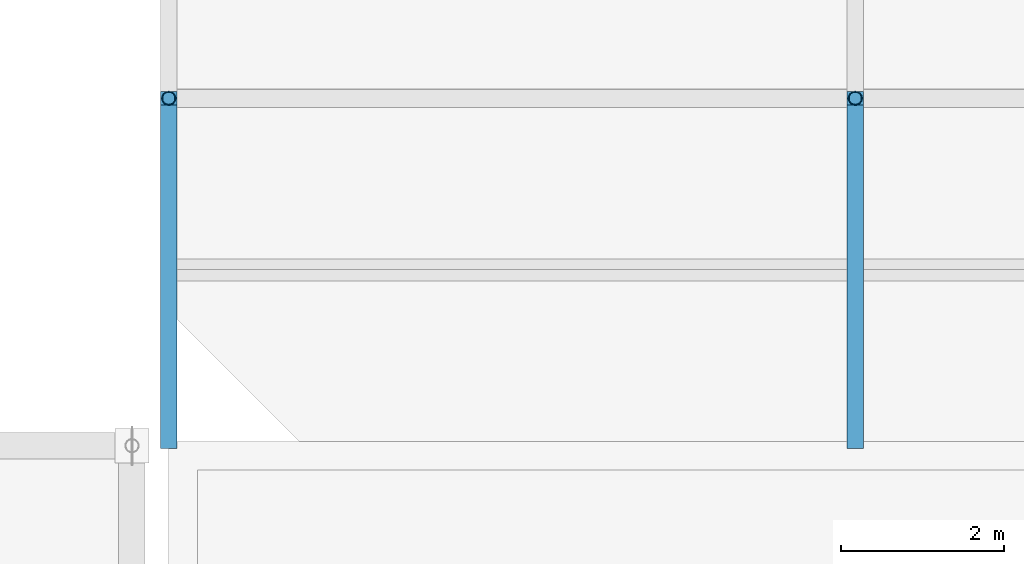
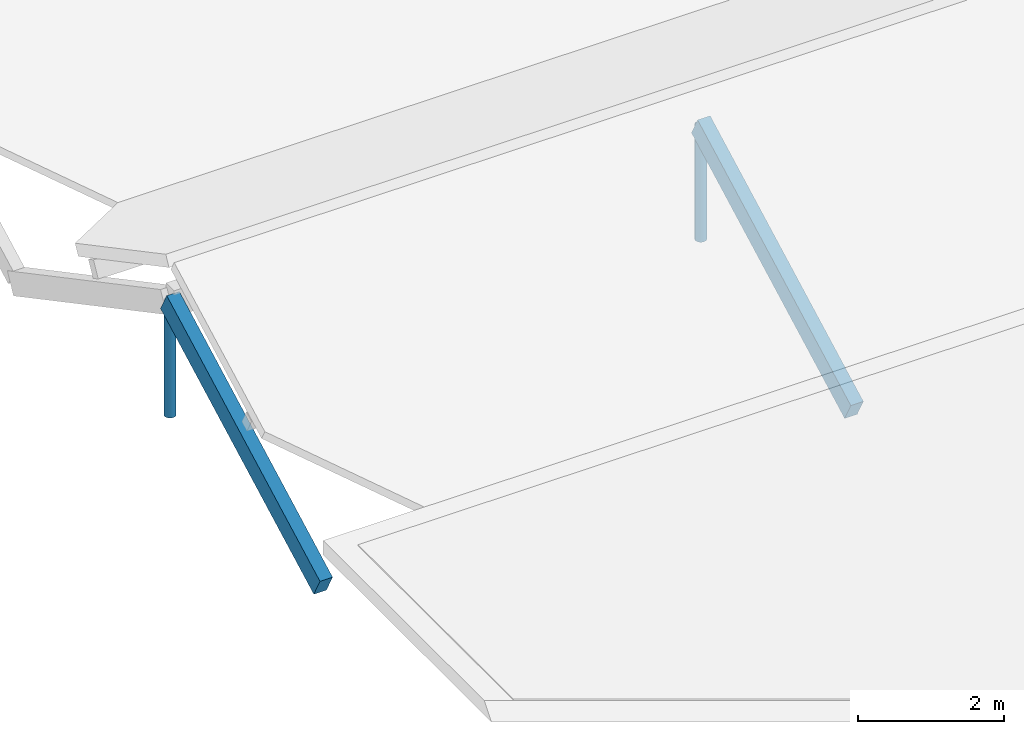
# One storey, part 38 of 82: 4 members.
"""IFC4 building model written with IfcOpenShell, lengths in metres."""

from ifc_helpers import new_model, si_unit, direction, frame, origin, origin_2d, place, context, subcontext, project, spatial, rectangle, hollow_circle, extrude, material, material_profile, profile_set, type_object, element, save


model = new_model("IFC4")

# Units and contexts
model_context = context("Model", 3, precision=1e-05, world=origin(), true_north=direction((0.0, 1.0)))
body_context = subcontext(model_context, "Body", "Model", "MODEL_VIEW")
ifc_project = project(units=[si_unit("LENGTHUNIT", "METRE"), si_unit("AREAUNIT", "SQUARE_METRE"), si_unit("VOLUMEUNIT", "CUBIC_METRE"), si_unit("PLANEANGLEUNIT", "RADIAN"), si_unit("MASSUNIT", "GRAM", prefix="KILO")], contexts=[model_context])

# Site, building, storey
site_placement = place(None, origin())
site = spatial("IfcSite", under=ifc_project, at=site_placement, CompositionType="ELEMENT")
building_placement = place(site_placement, origin())
building = spatial("IfcBuilding", under=site, at=building_placement, Name="Bramfleet General Hospital", CompositionType="ELEMENT")
storey_placement = place(building_placement, frame((0.0, 0.0, 34.199951171875)))
storey = spatial("IfcBuildingStorey", under=building, at=storey_placement, Name="Roof", CompositionType="ELEMENT", Elevation=34.199951171875)

# Members
ifc_material_1 = material(Name="Structural timber GL28h", Category="wood")
ifc_material_profile_1 = material_profile(ifc_material_1, rectangle(XDim=0.199951171875, YDim=0.360107421875, at=origin_2d()), Name="GL28h 360x200")
ifc_profile_set_1 = profile_set([ifc_material_profile_1], Name="Structural timber GL28h")
member_type_1 = type_object("IfcMemberType", Name="MEM-RF-GL360", PredefinedType="RAFTER", material=ifc_profile_set_1)
for number, where, z_axis, x_axis, name in (
    (1, (92.39990234375, 50.39990234375, -0.75634765625), (0.0, 0.882958848035, 0.469450394267), (-1.0, 0.0, 0.0), "Patient House PH-11 South Glulam Rafter 0"),
    (2, (100.800048828125, 50.39990234375, -0.75634765625), (0.0, 0.882958848035, 0.469450394267), (-1.0, 0.0, 0.0), "Patient House PH-11 South Glulam Rafter 1"),
):
    element("IfcMember", number, at=place(storey_placement, frame(where, z_axis=z_axis, x_axis=x_axis)), inside=storey, type_object=member_type_1, Name=name, PredefinedType="RAFTER", context=body_context, shape_type="SweptSolid", body=[
        extrude(rectangle(XDim=0.199951171875, YDim=0.360107421875, at=origin_2d()), origin(), (0.0, 0.0, 1.0), 4.7568359375),
    ])
ifc_material_2 = material(Name="Steel S355", Category="steel")
ifc_material_profile_2 = material_profile(ifc_material_2, hollow_circle(Radius=0.084228515625, WallThickness=0.008056640625, at=origin_2d()), Name="CHS 168.3x8.0")
ifc_profile_set_2 = profile_set([ifc_material_profile_2], Name="Steel S355")
member_type_2 = type_object("IfcMemberType", Name="MEM-SF-DG1", PredefinedType="STRUT", material=ifc_profile_set_2)
for number, where, z_axis, x_axis, name in (
    (3, (92.39990234375, 54.60009765625, -0.43994140625), (0.0, 0.0, 1.0), (1.0, 0.0, 0.0), "Patient House PH-11 Ridge Timber Post 0"),
    (4, (100.800048828125, 54.60009765625, -0.43994140625), (0.0, 0.0, 1.0), (1.0, 0.0, 0.0), "Patient House PH-11 Ridge Timber Post 1"),
):
    element("IfcMember", number, at=place(storey_placement, frame(where, z_axis=z_axis, x_axis=x_axis)), inside=storey, type_object=member_type_2, Name=name, PredefinedType="STRUT", context=body_context, shape_type="SweptSolid", body=[
        extrude(hollow_circle(Radius=0.084228515625, WallThickness=0.008056640625, at=origin_2d()), origin(), (0.0, 0.0, 1.0), 1.916748046875),
    ])

save(model, "model.ifc")
